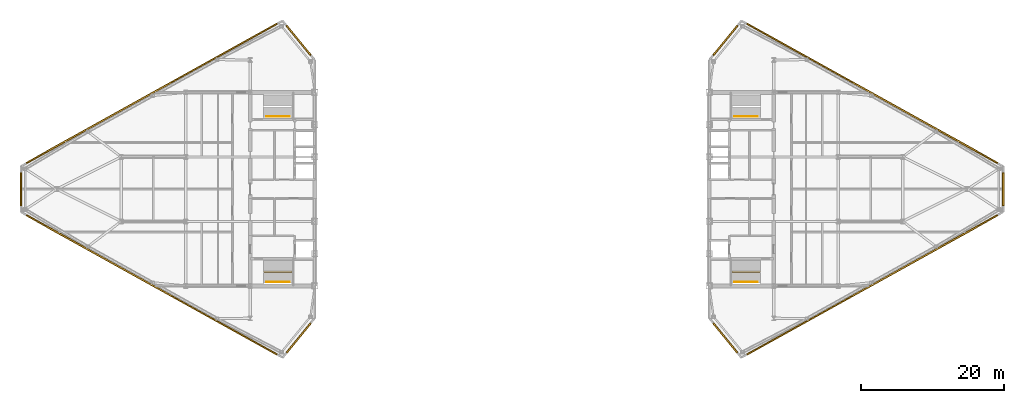
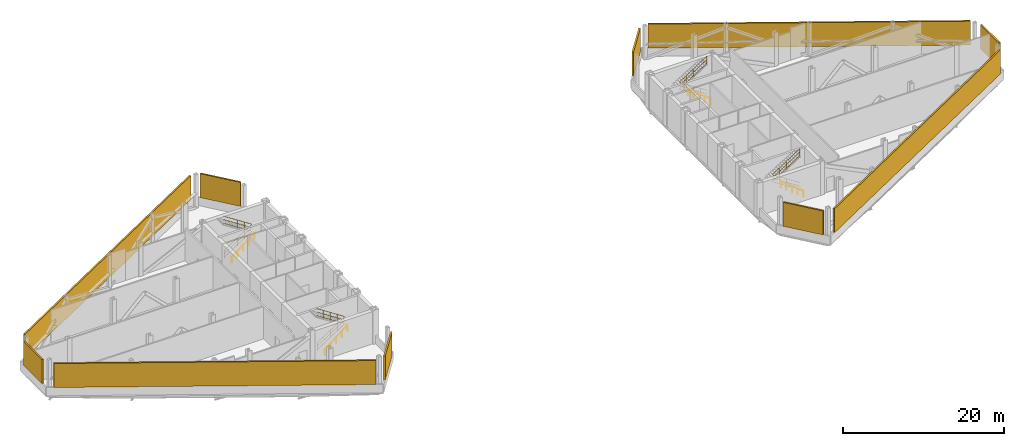
# One storey, part 11 of 11: 10 shading devices, 8 railings.
"""IFC4 building model written with IfcOpenShell, lengths in metres."""

import ifcopenshell
import ifcopenshell.guid

model = None  # the IFC model being written
_history = None  # IfcOwnerHistory: only IFC2X3 demands one
_inside = {}  # id of a spatial element -> (the spatial element, [elements in it])
_under = {}  # id of a project, library or spatial element -> (it, [spatial elements below it])
_declared = {}  # id of a project -> (the project, [libraries it declares])
_typed = {}  # id of a type object -> (the type object, [elements of that type])
_made_of = {}  # id of a material, layer set ... -> (it, [elements and type objects made of it])


def new_model(schema):
    """Start an empty IFC model of exactly this schema.

    Asked for "IFC4X3", IfcOpenShell would pick the latest addendum, in which some entities
    have other attributes; the version numbers below select the first issue.
    IFC2X3 requires an IfcOwnerHistory on every rooted entity: one is made here for all.
    """
    global model, _history
    if schema == "IFC4X3":
        model = ifcopenshell.file(schema_version=(4, 3, 0, 0))
    else:
        model = ifcopenshell.file(schema=schema)
    _inside.clear()
    _under.clear()
    _declared.clear()
    _typed.clear()
    _made_of.clear()
    _history = None
    if model.schema == "IFC2X3":
        org = make("IfcOrganization", Name="unknown")
        user = make(
            "IfcPersonAndOrganization",
            ThePerson=make("IfcPerson", FamilyName="unknown"),
            TheOrganization=org,
        )
        app = make(
            "IfcApplication",
            ApplicationDeveloper=org,
            Version="unknown",
            ApplicationFullName="unknown",
            ApplicationIdentifier="unknown",
        )
        _history = make(
            "IfcOwnerHistory",
            OwningUser=user,
            OwningApplication=app,
            ChangeAction="ADDED",
            CreationDate=0,
        )
    return model


def make(cls, **values):
    """One entity of the class cls with the attributes given. An attribute that is None is left unset."""
    return model.create_entity(
        cls, **{name: value for name, value in values.items() if value is not None}
    )


def rooted(cls, **values):
    """An entity with a GlobalId (a new one), such as an element, a storey or a relation."""
    return make(cls, GlobalId=ifcopenshell.guid.new(), OwnerHistory=_history, **values)


def si_unit(unit_type, name, prefix=None):
    """IfcSIUnit, for example si_unit("LENGTHUNIT", "METRE", prefix="MILLI")."""
    return make("IfcSIUnit", UnitType=unit_type, Prefix=prefix, Name=name)


def assignment(units):
    """IfcUnitAssignment: the units of a project."""
    return None if units is None else make("IfcUnitAssignment", Units=units)


def point(xyz):
    """IfcCartesianPoint."""
    return None if xyz is None else make("IfcCartesianPoint", Coordinates=xyz)


def direction(xyz):
    """IfcDirection."""
    return None if xyz is None else make("IfcDirection", DirectionRatios=xyz)


def frame(location, z_axis=None, x_axis=None):
    """IfcAxis2Placement3D, a coordinate frame: its origin and axes. An axis left out is left unset."""
    return make(
        "IfcAxis2Placement3D",
        Location=point(location),
        Axis=direction(z_axis),
        RefDirection=direction(x_axis),
    )


def frame_2d(location, x_axis=None):
    """IfcAxis2Placement2D, a coordinate frame in the plane: its origin and x axis."""
    return make(
        "IfcAxis2Placement2D", Location=point(location), RefDirection=direction(x_axis)
    )


def origin():
    """The frame at (0, 0, 0) with its axes left unset."""
    return frame((0.0, 0.0, 0.0))


def origin_2d():
    """The frame at (0, 0) in the plane with its x axis left unset."""
    return frame_2d((0.0, 0.0))


def place(relative_to, where):
    """IfcLocalPlacement: puts the frame where relative to a parent placement (None: the world)."""
    return make(
        "IfcLocalPlacement", PlacementRelTo=relative_to, RelativePlacement=where
    )


def context(
    kind, dimensions, precision=None, world=None, true_north=None, identifier=None
):
    """IfcGeometricRepresentationContext, for example the 3D "Model" context."""
    return make(
        "IfcGeometricRepresentationContext",
        ContextIdentifier=identifier,
        ContextType=kind,
        CoordinateSpaceDimension=dimensions,
        Precision=precision,
        WorldCoordinateSystem=world,
        TrueNorth=true_north,
    )


def subcontext(parent, identifier, kind, view, scale=None):
    """IfcGeometricRepresentationSubContext, for example "Body" below "Model"."""
    return make(
        "IfcGeometricRepresentationSubContext",
        ContextIdentifier=identifier,
        ContextType=kind,
        ParentContext=parent,
        TargetScale=scale,
        TargetView=view,
    )


def project(units=None, contexts=None):
    """IfcProject with its units and contexts."""
    return rooted(
        "IfcProject",
        Name="project",
        RepresentationContexts=contexts,
        UnitsInContext=assignment(units),
    )


def spatial(cls, under=None, at=None, **own):
    """A site, building, storey or space (cls), placed at a placement, below another one or the project."""
    s = rooted(cls, ObjectPlacement=at, **own)
    if under is not None:
        _under.setdefault(under.id(), (under, []))[1].append(s)
    return s


def profile(cls, at=None, kind="AREA", **sizes):
    """A parametric profile (cls). Its sizes go by their IFC names, for example OverallWidth=200.0."""
    return make(cls, ProfileType=kind, Position=at, **sizes)


def rectangle(**sizes):
    """IfcRectangleProfileDef."""
    return profile("IfcRectangleProfileDef", **sizes)


def circle(**sizes):
    """IfcCircleProfileDef."""
    return profile("IfcCircleProfileDef", **sizes)


def extrude(swept, where, along, depth):
    """IfcExtrudedAreaSolid: the profile swept, set in the frame where, extruded along a direction by depth."""
    return make(
        "IfcExtrudedAreaSolid",
        SweptArea=swept,
        Position=where,
        ExtrudedDirection=direction(along),
        Depth=depth,
    )


def shape(context_of_items, identifier, shape_type, items):
    """IfcShapeRepresentation: the items that make up one representation, for example the "Body"."""
    return make(
        "IfcShapeRepresentation",
        ContextOfItems=context_of_items,
        RepresentationIdentifier=identifier,
        RepresentationType=shape_type,
        Items=items,
    )


def source(mapping_origin, context_of_items, identifier, shape_type, items):
    """IfcRepresentationMap: a shape defined once, which mapped items show again and again."""
    return make(
        "IfcRepresentationMap",
        MappingOrigin=mapping_origin,
        MappedRepresentation=shape(context_of_items, identifier, shape_type, items),
    )


def transform(
    local_origin,
    x_axis=None,
    y_axis=None,
    z_axis=None,
    scale=None,
    scale2=None,
    scale3=None,
    uniform=True,
):
    """IfcCartesianTransformationOperator3D, or its non-uniform kind. x_axis, y_axis, z_axis: its Axis1, 2, 3."""
    if uniform:
        return make(
            "IfcCartesianTransformationOperator3D",
            Axis1=direction(x_axis),
            Axis2=direction(y_axis),
            LocalOrigin=point(local_origin),
            Scale=scale,
            Axis3=direction(z_axis),
        )
    return make(
        "IfcCartesianTransformationOperator3DnonUniform",
        Axis1=direction(x_axis),
        Axis2=direction(y_axis),
        LocalOrigin=point(local_origin),
        Scale=scale,
        Axis3=direction(z_axis),
        Scale2=scale2,
        Scale3=scale3,
    )


def mapped(mapping_source, mapping_target):
    """IfcMappedItem: shows the shape of a source again, moved by a transform."""
    return make(
        "IfcMappedItem", MappingSource=mapping_source, MappingTarget=mapping_target
    )


def material(Name=None, Category=None):
    """IfcMaterial."""
    return make("IfcMaterial", Name=Name, Category=Category)


def layer(
    of_material, thickness, ventilated=None, Name=None, Category=None, Priority=None
):
    """IfcMaterialLayer: one layer of a wall or slab, of a material (None: an air gap)."""
    return make(
        "IfcMaterialLayer",
        Material=of_material,
        LayerThickness=thickness,
        IsVentilated=ventilated,
        Name=Name,
        Category=Category,
        Priority=Priority,
    )


def layer_set(layers, Name=None):
    """IfcMaterialLayerSet."""
    return make("IfcMaterialLayerSet", MaterialLayers=layers, LayerSetName=Name)


def made_of(thing, what):
    """Note that an element or type object is made of a material, layer set ...; save() writes the relation."""
    if what is not None:
        _made_of.setdefault(what.id(), (what, []))[1].append(thing)
    return thing


def type_object(cls, material=None, **own):
    """A type object (cls), such as IfcWallType, which elements share."""
    return made_of(rooted(cls, **own), material)


def type_shapes(of_type, sources):
    """Give a type object the sources (RepresentationMaps) that its elements show as mapped items."""
    of_type.RepresentationMaps = sources


def element(
    cls,
    number,
    at=None,
    inside=None,
    cuts=None,
    type_object=None,
    material=None,
    context=None,
    identifier="Body",
    shape_type=None,
    held_by="IfcProductDefinitionShape",
    body=None,
    shapes=None,
    **own,
):
    """One element of the class cls, such as IfcWall. Its Tag is "e" and its number.

    at: its placement. inside: the storey or other place that contains it. cuts: it is an
    opening in that element (IfcRelVoidsElement). A single representation is given by context,
    identifier, shape_type and body (its items); several are given by shapes. held_by: the class
    of the entity that holds the representations. save() writes the other relations.
    """
    e = rooted(cls, Tag="e%d" % number, ObjectPlacement=at, **own)
    if body is not None:
        shapes = [shape(context, identifier, shape_type, body)]
    if shapes is not None:
        e.Representation = make(held_by, Representations=shapes)
    if inside is not None:
        _inside.setdefault(inside.id(), (inside, []))[1].append(e)
    if cuts is not None:
        rooted(
            "IfcRelVoidsElement", RelatingBuildingElement=cuts, RelatedOpeningElement=e
        )
    if type_object is not None:
        _typed.setdefault(type_object.id(), (type_object, []))[1].append(e)
    return made_of(e, material)


def aggregate(whole, parts):
    """IfcRelAggregates: a whole, such as a stair, and the parts it consists of."""
    return rooted("IfcRelAggregates", RelatingObject=whole, RelatedObjects=parts)


def save(model, path):
    """Write the relations noted so far, then the file.

    IfcRelAggregates (storeys below a building ...), IfcRelContainedInSpatialStructure (elements
    in a storey), IfcRelDefinesByType, IfcRelAssociatesMaterial and IfcRelDeclares: one each for
    every whole, place, type object, material and project.
    """
    for whole, parts in _under.values():
        aggregate(whole, parts)
    for where, things in _inside.values():
        rooted(
            "IfcRelContainedInSpatialStructure",
            RelatedElements=things,
            RelatingStructure=where,
        )
    for kind, things in _typed.values():
        rooted("IfcRelDefinesByType", RelatedObjects=things, RelatingType=kind)
    for what, things in _made_of.values():
        rooted("IfcRelAssociatesMaterial", RelatedObjects=things, RelatingMaterial=what)
    for by, libraries in _declared.values():
        rooted("IfcRelDeclares", RelatingContext=by, RelatedDefinitions=libraries)
    model.write(path)


model = new_model("IFC4")

# Units and contexts
model_context = context("Model", 3, precision=1e-05, world=origin(), true_north=direction((0.0, 1.0)))
body_context = subcontext(model_context, "Body", "Model", "MODEL_VIEW")
ifc_project = project(units=[si_unit("LENGTHUNIT", "METRE"), si_unit("AREAUNIT", "SQUARE_METRE"), si_unit("VOLUMEUNIT", "CUBIC_METRE"), si_unit("PLANEANGLEUNIT", "RADIAN"), si_unit("MASSUNIT", "GRAM", prefix="KILO")], contexts=[model_context])

# Site, building, storey
site_placement = place(None, origin())
site = spatial("IfcSite", under=ifc_project, at=site_placement, CompositionType="ELEMENT")
building_placement = place(site_placement, origin())
building = spatial("IfcBuilding", under=site, at=building_placement, Name="Seokmaru Belvedere", CompositionType="ELEMENT")
storey_placement = place(building_placement, frame((0.0, 0.0, 162.0)))
storey = spatial("IfcBuildingStorey", under=building, at=storey_placement, Name="L43", CompositionType="ELEMENT", Elevation=162.0)

# Railings
ifc_material_1 = material(Name="Stainless Steel 316", Category="steel")
railing_type_1 = type_object("IfcRailingType", Name="Stainless Steel Wall and Flight Handrail 900", PredefinedType="HANDRAIL", material=ifc_material_1)
for number, where, name in (
    (1, (-34.25, -12.949951171875, 0.0), "L43 Stair ST-W1 Wall Handrail"),
    (2, (-34.25, 10.110107421875, 0.0), "L43 Stair ST-W2 Wall Handrail"),
):
    element("IfcRailing", number, at=place(storey_placement, frame(where)), inside=storey, type_object=railing_type_1, Name=name, PredefinedType="HANDRAIL", context=body_context, shape_type="SweptSolid", body=[
        extrude(circle(Radius=0.02392578125, at=origin_2d()), frame((0.0, 0.0, 0.8759765625), z_axis=(0.78393854377, 0.0, 0.62083843276), x_axis=(0.0, 1.0, 0.0)), (0.0, 0.0, 1.0), 4.107421875),
        extrude(circle(Radius=0.02099609375, at=origin_2d()), origin(), (0.0, 0.0, 1.0), 0.851806640625),
        extrude(circle(Radius=0.02099609375, at=origin_2d()), frame((0.804931640625, 0.0, 0.637451171875)), (0.0, 0.0, 1.0), 0.851806640625),
        extrude(circle(Radius=0.02099609375, at=origin_2d()), frame((1.60986328125, 0.0, 1.27490234375)), (0.0, 0.0, 1.0), 0.851806640625),
        extrude(circle(Radius=0.02099609375, at=origin_2d()), frame((2.4150390625, 0.0, 1.91259765625)), (0.0, 0.0, 1.0), 0.851806640625),
        extrude(circle(Radius=0.02099609375, at=origin_2d()), frame((3.219970703125, 0.0, 2.550048828125)), (0.0, 0.0, 1.0), 0.851806640625),
    ])
for number, where, name in (
    (3, (34.25, -12.949951171875, 0.0), "L43 Stair ST-E1 Wall Handrail"),
    (4, (34.25, 10.110107421875, 0.0), "L43 Stair ST-E2 Wall Handrail"),
):
    element("IfcRailing", number, at=place(storey_placement, frame(where)), inside=storey, type_object=railing_type_1, Name=name, PredefinedType="HANDRAIL", context=body_context, shape_type="SweptSolid", body=[
        extrude(circle(Radius=0.02392578125, at=origin_2d()), frame((0.0, 0.0, 0.8759765625), z_axis=(-0.78393854377, 0.0, 0.62083843276), x_axis=(0.0, -1.0, 0.0)), (0.0, 0.0, 1.0), 4.107421875),
        extrude(circle(Radius=0.02099609375, at=origin_2d()), origin(), (0.0, 0.0, 1.0), 0.851806640625),
        extrude(circle(Radius=0.02099609375, at=origin_2d()), frame((-0.804931640625, 0.0, 0.637451171875)), (0.0, 0.0, 1.0), 0.851806640625),
        extrude(circle(Radius=0.02099609375, at=origin_2d()), frame((-1.60986328125, 0.0, 1.27490234375)), (0.0, 0.0, 1.0), 0.851806640625),
        extrude(circle(Radius=0.02099609375, at=origin_2d()), frame((-2.4150390625, 0.0, 1.91259765625)), (0.0, 0.0, 1.0), 0.851806640625),
        extrude(circle(Radius=0.02099609375, at=origin_2d()), frame((-3.219970703125, 0.0, 2.550048828125)), (0.0, 0.0, 1.0), 0.851806640625),
    ])
railing_type_2 = type_object("IfcRailingType", Name="Stair Well and Atrium Steel Guardrail 1200", PredefinedType="GUARDRAIL", material=ifc_material_1)
railing_1_placement = place(storey_placement, frame((-34.60009765625, -11.60009765625, 0.0)))
element("IfcRailing", 5, at=railing_1_placement, inside=storey, type_object=railing_type_2, Name="L43 Stair ST-W1 Inner Well Guardrail", PredefinedType="GUARDRAIL", context=body_context, shape_type="SweptSolid", body=[
    extrude(circle(Radius=0.02392578125, at=origin_2d()), frame((0.0, 0.0, 1.17578125), z_axis=(0.838253921411, 0.0, 0.545280077794), x_axis=(0.0, 1.0, 0.0)), (0.0, 0.0, 1.0), 4.676513671875),
    extrude(circle(Radius=0.02392578125, at=origin_2d()), frame((0.0, 0.0, 0.1201171875), z_axis=(0.838253921411, 0.0, 0.545280077794), x_axis=(0.0, 1.0, 0.0)), (0.0, 0.0, 1.0), 4.676513671875),
    extrude(circle(Radius=0.02392578125, at=origin_2d()), frame((0.0, 0.0, 0.659912109375), z_axis=(0.838253921411, 0.0, 0.545280077794), x_axis=(0.0, 1.0, 0.0)), (0.0, 0.0, 1.0), 4.676513671875),
    extrude(circle(Radius=0.02392578125, at=origin_2d()), frame((3.920166015625, 0.0, 3.72607421875), z_axis=(0.0, 1.0, 0.0), x_axis=(-1.0, 0.0, 0.0)), (0.0, 0.0, 1.0), 0.14013671875),
    extrude(circle(Radius=0.02392578125, at=origin_2d()), frame((3.920166015625, 0.0, 2.670166015625), z_axis=(0.0, 1.0, 0.0), x_axis=(-1.0, 0.0, 0.0)), (0.0, 0.0, 1.0), 0.14013671875),
    extrude(circle(Radius=0.02392578125, at=origin_2d()), frame((3.920166015625, 0.0, 3.2099609375), z_axis=(0.0, 1.0, 0.0), x_axis=(-1.0, 0.0, 0.0)), (0.0, 0.0, 1.0), 0.14013671875),
    extrude(circle(Radius=0.02392578125, at=origin_2d()), frame((3.920166015625, 0.14013671875, 3.72607421875), z_axis=(-0.838253921411, 0.0, 0.545280077794), x_axis=(0.0, -1.0, 0.0)), (0.0, 0.0, 1.0), 4.676513671875),
    extrude(circle(Radius=0.02392578125, at=origin_2d()), frame((3.920166015625, 0.14013671875, 2.670166015625), z_axis=(-0.838253921411, 0.0, 0.545280077794), x_axis=(0.0, -1.0, 0.0)), (0.0, 0.0, 1.0), 4.676513671875),
    extrude(circle(Radius=0.02392578125, at=origin_2d()), frame((3.920166015625, 0.14013671875, 3.2099609375), z_axis=(-0.838253921411, 0.0, 0.545280077794), x_axis=(0.0, -1.0, 0.0)), (0.0, 0.0, 1.0), 4.676513671875),
    extrude(circle(Radius=0.02099609375, at=origin_2d()), origin(), (0.0, 0.0, 1.0), 1.15185546875),
    extrude(circle(Radius=0.02099609375, at=origin_2d()), frame((0.97998046875, 0.0, 0.637451171875)), (0.0, 0.0, 1.0), 1.15185546875),
    extrude(circle(Radius=0.02099609375, at=origin_2d()), frame((1.9599609375, 0.0, 1.27490234375)), (0.0, 0.0, 1.0), 1.15185546875),
    extrude(circle(Radius=0.02099609375, at=origin_2d()), frame((2.940185546875, 0.0, 1.91259765625)), (0.0, 0.0, 1.0), 1.15185546875),
    extrude(circle(Radius=0.02099609375, at=origin_2d()), frame((3.920166015625, 0.0, 2.550048828125)), (0.0, 0.0, 1.0), 1.15185546875),
    extrude(circle(Radius=0.02099609375, at=origin_2d()), frame((3.920166015625, 0.14013671875, 2.550048828125)), (0.0, 0.0, 1.0), 1.15185546875),
    extrude(circle(Radius=0.02099609375, at=origin_2d()), frame((2.940185546875, 0.14013671875, 3.1875)), (0.0, 0.0, 1.0), 1.15185546875),
    extrude(circle(Radius=0.02099609375, at=origin_2d()), frame((1.9599609375, 0.14013671875, 3.8251953125)), (0.0, 0.0, 1.0), 1.15185546875),
    extrude(circle(Radius=0.02099609375, at=origin_2d()), frame((0.97998046875, 0.14013671875, 4.462646484375)), (0.0, 0.0, 1.0), 1.15185546875),
    extrude(circle(Radius=0.02099609375, at=origin_2d()), frame((0.0, 0.14013671875, 5.10009765625)), (0.0, 0.0, 1.0), 1.15185546875),
])
railing_2_placement = place(storey_placement, frame((-34.60009765625, 11.4599609375, 0.0)))
element("IfcRailing", 6, at=railing_2_placement, inside=storey, type_object=railing_type_2, Name="L43 Stair ST-W2 Inner Well Guardrail", PredefinedType="GUARDRAIL", context=body_context, shape_type="SweptSolid", body=[
    extrude(circle(Radius=0.02392578125, at=origin_2d()), frame((0.0, 0.0, 1.17578125), z_axis=(0.838253921411, 0.0, 0.545280077794), x_axis=(0.0, 1.0, 0.0)), (0.0, 0.0, 1.0), 4.676513671875),
    extrude(circle(Radius=0.02392578125, at=origin_2d()), frame((0.0, 0.0, 0.1201171875), z_axis=(0.838253921411, 0.0, 0.545280077794), x_axis=(0.0, 1.0, 0.0)), (0.0, 0.0, 1.0), 4.676513671875),
    extrude(circle(Radius=0.02392578125, at=origin_2d()), frame((0.0, 0.0, 0.659912109375), z_axis=(0.838253921411, 0.0, 0.545280077794), x_axis=(0.0, 1.0, 0.0)), (0.0, 0.0, 1.0), 4.676513671875),
    extrude(circle(Radius=0.02392578125, at=origin_2d()), frame((3.920166015625, 0.0, 3.72607421875), z_axis=(0.0, 1.0, 0.0), x_axis=(-1.0, 0.0, 0.0)), (0.0, 0.0, 1.0), 0.14013671875),
    extrude(circle(Radius=0.02392578125, at=origin_2d()), frame((3.920166015625, 0.0, 2.670166015625), z_axis=(0.0, 1.0, 0.0), x_axis=(-1.0, 0.0, 0.0)), (0.0, 0.0, 1.0), 0.14013671875),
    extrude(circle(Radius=0.02392578125, at=origin_2d()), frame((3.920166015625, 0.0, 3.2099609375), z_axis=(0.0, 1.0, 0.0), x_axis=(-1.0, 0.0, 0.0)), (0.0, 0.0, 1.0), 0.14013671875),
    extrude(circle(Radius=0.02392578125, at=origin_2d()), frame((3.920166015625, 0.14013671875, 3.72607421875), z_axis=(-0.838253921411, 0.0, 0.545280077794), x_axis=(0.0, -1.0, 0.0)), (0.0, 0.0, 1.0), 4.676513671875),
    extrude(circle(Radius=0.02392578125, at=origin_2d()), frame((3.920166015625, 0.14013671875, 2.670166015625), z_axis=(-0.838253921411, 0.0, 0.545280077794), x_axis=(0.0, -1.0, 0.0)), (0.0, 0.0, 1.0), 4.676513671875),
    extrude(circle(Radius=0.02392578125, at=origin_2d()), frame((3.920166015625, 0.14013671875, 3.2099609375), z_axis=(-0.838253921411, 0.0, 0.545280077794), x_axis=(0.0, -1.0, 0.0)), (0.0, 0.0, 1.0), 4.676513671875),
    extrude(circle(Radius=0.02099609375, at=origin_2d()), origin(), (0.0, 0.0, 1.0), 1.15185546875),
    extrude(circle(Radius=0.02099609375, at=origin_2d()), frame((0.97998046875, 0.0, 0.637451171875)), (0.0, 0.0, 1.0), 1.15185546875),
    extrude(circle(Radius=0.02099609375, at=origin_2d()), frame((1.9599609375, 0.0, 1.27490234375)), (0.0, 0.0, 1.0), 1.15185546875),
    extrude(circle(Radius=0.02099609375, at=origin_2d()), frame((2.940185546875, 0.0, 1.91259765625)), (0.0, 0.0, 1.0), 1.15185546875),
    extrude(circle(Radius=0.02099609375, at=origin_2d()), frame((3.920166015625, 0.0, 2.550048828125)), (0.0, 0.0, 1.0), 1.15185546875),
    extrude(circle(Radius=0.02099609375, at=origin_2d()), frame((3.920166015625, 0.14013671875, 2.550048828125)), (0.0, 0.0, 1.0), 1.15185546875),
    extrude(circle(Radius=0.02099609375, at=origin_2d()), frame((2.940185546875, 0.14013671875, 3.1875)), (0.0, 0.0, 1.0), 1.15185546875),
    extrude(circle(Radius=0.02099609375, at=origin_2d()), frame((1.9599609375, 0.14013671875, 3.8251953125)), (0.0, 0.0, 1.0), 1.15185546875),
    extrude(circle(Radius=0.02099609375, at=origin_2d()), frame((0.97998046875, 0.14013671875, 4.462646484375)), (0.0, 0.0, 1.0), 1.15185546875),
    extrude(circle(Radius=0.02099609375, at=origin_2d()), frame((0.0, 0.14013671875, 5.10009765625)), (0.0, 0.0, 1.0), 1.15185546875),
])
railing_3_placement = place(storey_placement, frame((34.60009765625, -11.60009765625, 0.0)))
element("IfcRailing", 7, at=railing_3_placement, inside=storey, type_object=railing_type_2, Name="L43 Stair ST-E1 Inner Well Guardrail", PredefinedType="GUARDRAIL", context=body_context, shape_type="SweptSolid", body=[
    extrude(circle(Radius=0.02392578125, at=origin_2d()), frame((0.0, 0.0, 1.17578125), z_axis=(-0.838253921411, 0.0, 0.545280077794), x_axis=(0.0, -1.0, 0.0)), (0.0, 0.0, 1.0), 4.676513671875),
    extrude(circle(Radius=0.02392578125, at=origin_2d()), frame((0.0, 0.0, 0.1201171875), z_axis=(-0.838253921411, 0.0, 0.545280077794), x_axis=(0.0, -1.0, 0.0)), (0.0, 0.0, 1.0), 4.676513671875),
    extrude(circle(Radius=0.02392578125, at=origin_2d()), frame((0.0, 0.0, 0.659912109375), z_axis=(-0.838253921411, 0.0, 0.545280077794), x_axis=(0.0, -1.0, 0.0)), (0.0, 0.0, 1.0), 4.676513671875),
    extrude(circle(Radius=0.02392578125, at=origin_2d()), frame((-3.920166015625, 0.0, 3.72607421875), z_axis=(0.0, 1.0, 0.0), x_axis=(-1.0, 0.0, 0.0)), (0.0, 0.0, 1.0), 0.14013671875),
    extrude(circle(Radius=0.02392578125, at=origin_2d()), frame((-3.920166015625, 0.0, 2.670166015625), z_axis=(0.0, 1.0, 0.0), x_axis=(-1.0, 0.0, 0.0)), (0.0, 0.0, 1.0), 0.14013671875),
    extrude(circle(Radius=0.02392578125, at=origin_2d()), frame((-3.920166015625, 0.0, 3.2099609375), z_axis=(0.0, 1.0, 0.0), x_axis=(-1.0, 0.0, 0.0)), (0.0, 0.0, 1.0), 0.14013671875),
    extrude(circle(Radius=0.02392578125, at=origin_2d()), frame((-3.920166015625, 0.14013671875, 3.72607421875), z_axis=(0.838253921411, 0.0, 0.545280077794), x_axis=(0.0, 1.0, 0.0)), (0.0, 0.0, 1.0), 4.676513671875),
    extrude(circle(Radius=0.02392578125, at=origin_2d()), frame((-3.920166015625, 0.14013671875, 2.670166015625), z_axis=(0.838253921411, 0.0, 0.545280077794), x_axis=(0.0, 1.0, 0.0)), (0.0, 0.0, 1.0), 4.676513671875),
    extrude(circle(Radius=0.02392578125, at=origin_2d()), frame((-3.920166015625, 0.14013671875, 3.2099609375), z_axis=(0.838253921411, 0.0, 0.545280077794), x_axis=(0.0, 1.0, 0.0)), (0.0, 0.0, 1.0), 4.676513671875),
    extrude(circle(Radius=0.02099609375, at=origin_2d()), origin(), (0.0, 0.0, 1.0), 1.15185546875),
    extrude(circle(Radius=0.02099609375, at=origin_2d()), frame((-0.97998046875, 0.0, 0.637451171875)), (0.0, 0.0, 1.0), 1.15185546875),
    extrude(circle(Radius=0.02099609375, at=origin_2d()), frame((-1.9599609375, 0.0, 1.27490234375)), (0.0, 0.0, 1.0), 1.15185546875),
    extrude(circle(Radius=0.02099609375, at=origin_2d()), frame((-2.940185546875, 0.0, 1.91259765625)), (0.0, 0.0, 1.0), 1.15185546875),
    extrude(circle(Radius=0.02099609375, at=origin_2d()), frame((-3.920166015625, 0.0, 2.550048828125)), (0.0, 0.0, 1.0), 1.15185546875),
    extrude(circle(Radius=0.02099609375, at=origin_2d()), frame((-3.920166015625, 0.14013671875, 2.550048828125)), (0.0, 0.0, 1.0), 1.15185546875),
    extrude(circle(Radius=0.02099609375, at=origin_2d()), frame((-2.940185546875, 0.14013671875, 3.1875)), (0.0, 0.0, 1.0), 1.15185546875),
    extrude(circle(Radius=0.02099609375, at=origin_2d()), frame((-1.9599609375, 0.14013671875, 3.8251953125)), (0.0, 0.0, 1.0), 1.15185546875),
    extrude(circle(Radius=0.02099609375, at=origin_2d()), frame((-0.97998046875, 0.14013671875, 4.462646484375)), (0.0, 0.0, 1.0), 1.15185546875),
    extrude(circle(Radius=0.02099609375, at=origin_2d()), frame((0.0, 0.14013671875, 5.10009765625)), (0.0, 0.0, 1.0), 1.15185546875),
])
railing_4_placement = place(storey_placement, frame((34.60009765625, 11.4599609375, 0.0)))
element("IfcRailing", 8, at=railing_4_placement, inside=storey, type_object=railing_type_2, Name="L43 Stair ST-E2 Inner Well Guardrail", PredefinedType="GUARDRAIL", context=body_context, shape_type="SweptSolid", body=[
    extrude(circle(Radius=0.02392578125, at=origin_2d()), frame((0.0, 0.0, 1.17578125), z_axis=(-0.838253921411, 0.0, 0.545280077794), x_axis=(0.0, -1.0, 0.0)), (0.0, 0.0, 1.0), 4.676513671875),
    extrude(circle(Radius=0.02392578125, at=origin_2d()), frame((0.0, 0.0, 0.1201171875), z_axis=(-0.838253921411, 0.0, 0.545280077794), x_axis=(0.0, -1.0, 0.0)), (0.0, 0.0, 1.0), 4.676513671875),
    extrude(circle(Radius=0.02392578125, at=origin_2d()), frame((0.0, 0.0, 0.659912109375), z_axis=(-0.838253921411, 0.0, 0.545280077794), x_axis=(0.0, -1.0, 0.0)), (0.0, 0.0, 1.0), 4.676513671875),
    extrude(circle(Radius=0.02392578125, at=origin_2d()), frame((-3.920166015625, 0.0, 3.72607421875), z_axis=(0.0, 1.0, 0.0), x_axis=(-1.0, 0.0, 0.0)), (0.0, 0.0, 1.0), 0.14013671875),
    extrude(circle(Radius=0.02392578125, at=origin_2d()), frame((-3.920166015625, 0.0, 2.670166015625), z_axis=(0.0, 1.0, 0.0), x_axis=(-1.0, 0.0, 0.0)), (0.0, 0.0, 1.0), 0.14013671875),
    extrude(circle(Radius=0.02392578125, at=origin_2d()), frame((-3.920166015625, 0.0, 3.2099609375), z_axis=(0.0, 1.0, 0.0), x_axis=(-1.0, 0.0, 0.0)), (0.0, 0.0, 1.0), 0.14013671875),
    extrude(circle(Radius=0.02392578125, at=origin_2d()), frame((-3.920166015625, 0.14013671875, 3.72607421875), z_axis=(0.838253921411, 0.0, 0.545280077794), x_axis=(0.0, 1.0, 0.0)), (0.0, 0.0, 1.0), 4.676513671875),
    extrude(circle(Radius=0.02392578125, at=origin_2d()), frame((-3.920166015625, 0.14013671875, 2.670166015625), z_axis=(0.838253921411, 0.0, 0.545280077794), x_axis=(0.0, 1.0, 0.0)), (0.0, 0.0, 1.0), 4.676513671875),
    extrude(circle(Radius=0.02392578125, at=origin_2d()), frame((-3.920166015625, 0.14013671875, 3.2099609375), z_axis=(0.838253921411, 0.0, 0.545280077794), x_axis=(0.0, 1.0, 0.0)), (0.0, 0.0, 1.0), 4.676513671875),
    extrude(circle(Radius=0.02099609375, at=origin_2d()), origin(), (0.0, 0.0, 1.0), 1.15185546875),
    extrude(circle(Radius=0.02099609375, at=origin_2d()), frame((-0.97998046875, 0.0, 0.637451171875)), (0.0, 0.0, 1.0), 1.15185546875),
    extrude(circle(Radius=0.02099609375, at=origin_2d()), frame((-1.9599609375, 0.0, 1.27490234375)), (0.0, 0.0, 1.0), 1.15185546875),
    extrude(circle(Radius=0.02099609375, at=origin_2d()), frame((-2.940185546875, 0.0, 1.91259765625)), (0.0, 0.0, 1.0), 1.15185546875),
    extrude(circle(Radius=0.02099609375, at=origin_2d()), frame((-3.920166015625, 0.0, 2.550048828125)), (0.0, 0.0, 1.0), 1.15185546875),
    extrude(circle(Radius=0.02099609375, at=origin_2d()), frame((-3.920166015625, 0.14013671875, 2.550048828125)), (0.0, 0.0, 1.0), 1.15185546875),
    extrude(circle(Radius=0.02099609375, at=origin_2d()), frame((-2.940185546875, 0.14013671875, 3.1875)), (0.0, 0.0, 1.0), 1.15185546875),
    extrude(circle(Radius=0.02099609375, at=origin_2d()), frame((-1.9599609375, 0.14013671875, 3.8251953125)), (0.0, 0.0, 1.0), 1.15185546875),
    extrude(circle(Radius=0.02099609375, at=origin_2d()), frame((-0.97998046875, 0.14013671875, 4.462646484375)), (0.0, 0.0, 1.0), 1.15185546875),
    extrude(circle(Radius=0.02099609375, at=origin_2d()), frame((0.0, 0.14013671875, 5.10009765625)), (0.0, 0.0, 1.0), 1.15185546875),
])

# Shading devices
ifc_material_2 = material(Name="Anodised Bronze Aluminium", Category="aluminium")
ifc_layer = layer(ifc_material_2, 0.25)
ifc_layer_set = layer_set([ifc_layer], Name="Anodised Bronze Aluminium")
shading_device_type = type_object("IfcShadingDeviceType", Name="Refuge Storey Acoustic Weather Louvre Assembly", PredefinedType="JALOUSIE", material=ifc_layer_set)
shared_shape_1 = source(origin(), body_context, "Body", "SweptSolid", [
    extrude(rectangle(XDim=5.306396484375, YDim=0.219970703125, at=origin_2d()), origin(), (0.0, 0.0, 1.0), 3.6298828125),
])
for number, where, z_axis, x_axis, name in (
    (9, (-29.75, 20.75, 1.25), (0.0, 0.0, 1.0), (-0.633237697558, 0.773957375048, 0.0), "L43 W Refuge Acoustic Louvre 2"),
    (10, (-29.75, -20.75, 1.25), (0.0, 0.0, 1.0), (0.633237697558, 0.773957375048, 0.0), "L43 W Refuge Acoustic Louvre 6"),
    (11, (29.75, 20.75, 1.25), (0.0, 0.0, 1.0), (-0.633237697558, -0.773957375048, 0.0), "L43 E Refuge Acoustic Louvre 4"),
    (12, (29.75, -20.75, 1.25), (0.0, 0.0, 1.0), (0.633237697558, -0.773957375048, 0.0), "L43 E Refuge Acoustic Louvre 6"),
):
    element("IfcShadingDevice", number, at=place(storey_placement, frame(where, z_axis=z_axis, x_axis=x_axis)), inside=storey, type_object=shading_device_type, Name=name, PredefinedType="JALOUSIE", context=body_context, shape_type="MappedRepresentation", body=[
        mapped(shared_shape_1, transform((0.0, 0.0, 0.0), scale=1.0)),
    ])
shared_shape_2 = source(origin(), body_context, "Body", "SweptSolid", [
    extrude(rectangle(XDim=39.96533203125, YDim=0.219970703125, at=origin_2d()), origin(), (0.0, 0.0, 1.0), 3.6298828125),
])
for number, where, z_axis, x_axis, name in (
    (13, (-50.25, 13.35009765625, 1.25), (0.0, 0.0, 1.0), (-0.873930904968, -0.486050175745, 0.0), "L43 W Refuge Acoustic Louvre 3"),
    (14, (-50.25, -13.35009765625, 1.25), (0.0, 0.0, 1.0), (0.873930904968, -0.486050175745, 0.0), "L43 W Refuge Acoustic Louvre 5"),
    (15, (50.25, -13.35009765625, 1.25), (0.0, 0.0, 1.0), (0.873930904968, 0.486050175745, 0.0), "L43 E Refuge Acoustic Louvre 1"),
    (16, (50.25, 13.35009765625, 1.25), (0.0, 0.0, 1.0), (-0.873930904968, 0.486050175745, 0.0), "L43 E Refuge Acoustic Louvre 3"),
):
    element("IfcShadingDevice", number, at=place(storey_placement, frame(where, z_axis=z_axis, x_axis=x_axis)), inside=storey, type_object=shading_device_type, Name=name, PredefinedType="JALOUSIE", context=body_context, shape_type="MappedRepresentation", body=[
        mapped(shared_shape_2, transform((0.0, 0.0, 0.0), scale=1.0)),
    ])
shared_shape_3 = source(origin(), body_context, "Body", "SweptSolid", [
    extrude(rectangle(XDim=4.60009765625, YDim=0.219970703125, at=origin_2d()), origin(), (0.0, 0.0, 1.0), 3.6298828125),
])
type_shapes(shading_device_type, [shared_shape_1, shared_shape_2, shared_shape_3])
for number, where, z_axis, x_axis, name in (
    (17, (-68.5, 0.0, 1.25), (0.0, 0.0, 1.0), (0.0, -1.0, 0.0), "L43 W Refuge Acoustic Louvre 4"),
    (18, (68.5, 0.0, 1.25), (0.0, 0.0, 1.0), (0.0, 1.0, 0.0), "L43 E Refuge Acoustic Louvre 2"),
):
    element("IfcShadingDevice", number, at=place(storey_placement, frame(where, z_axis=z_axis, x_axis=x_axis)), inside=storey, type_object=shading_device_type, Name=name, PredefinedType="JALOUSIE", context=body_context, shape_type="MappedRepresentation", body=[
        mapped(shared_shape_3, transform((0.0, 0.0, 0.0), scale=1.0)),
    ])

save(model, "model.ifc")
